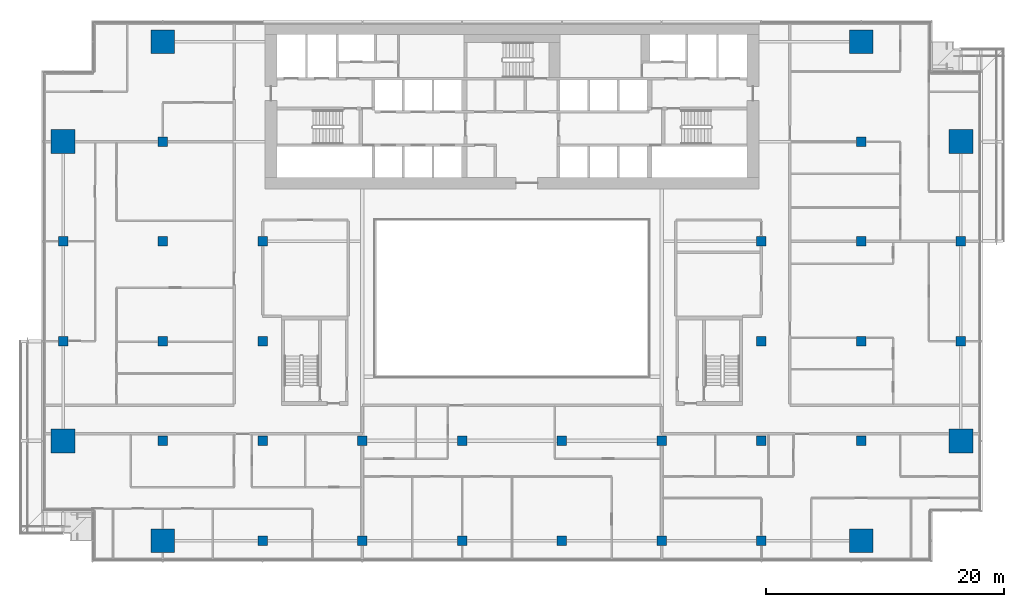
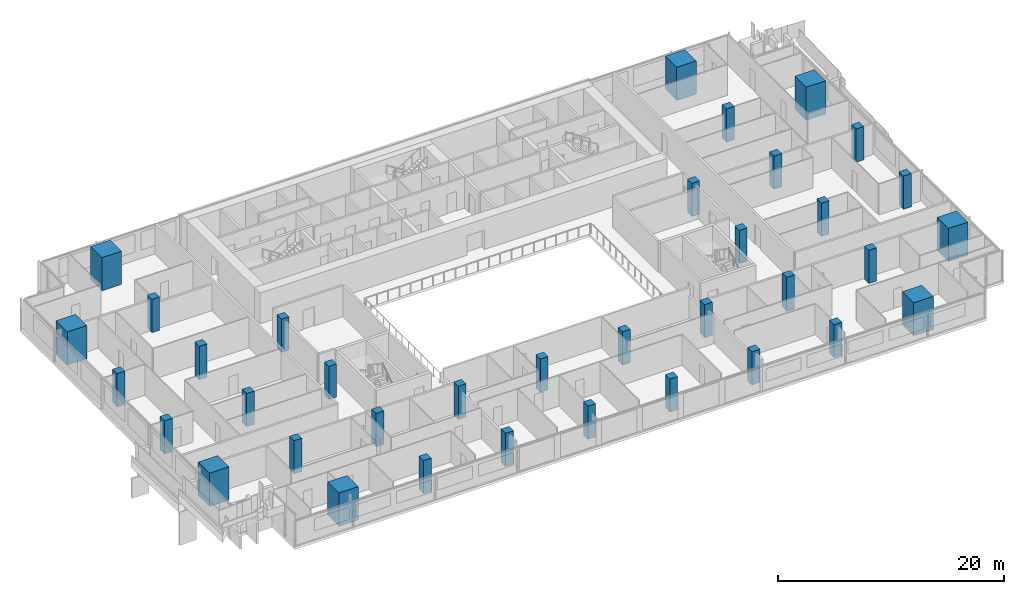
# One storey, part 1 of 27: 36 columns.
"""IFC4 building model written with IfcOpenShell, lengths in metres."""

import ifcopenshell
import ifcopenshell.guid

model = None  # the IFC model being written
_history = None  # IfcOwnerHistory: only IFC2X3 demands one
_inside = {}  # id of a spatial element -> (the spatial element, [elements in it])
_under = {}  # id of a project, library or spatial element -> (it, [spatial elements below it])
_declared = {}  # id of a project -> (the project, [libraries it declares])
_typed = {}  # id of a type object -> (the type object, [elements of that type])
_made_of = {}  # id of a material, layer set ... -> (it, [elements and type objects made of it])


def new_model(schema):
    """Start an empty IFC model of exactly this schema.

    Asked for "IFC4X3", IfcOpenShell would pick the latest addendum, in which some entities
    have other attributes; the version numbers below select the first issue.
    IFC2X3 requires an IfcOwnerHistory on every rooted entity: one is made here for all.
    """
    global model, _history
    if schema == "IFC4X3":
        model = ifcopenshell.file(schema_version=(4, 3, 0, 0))
    else:
        model = ifcopenshell.file(schema=schema)
    _inside.clear()
    _under.clear()
    _declared.clear()
    _typed.clear()
    _made_of.clear()
    _history = None
    if model.schema == "IFC2X3":
        org = make("IfcOrganization", Name="unknown")
        user = make(
            "IfcPersonAndOrganization",
            ThePerson=make("IfcPerson", FamilyName="unknown"),
            TheOrganization=org,
        )
        app = make(
            "IfcApplication",
            ApplicationDeveloper=org,
            Version="unknown",
            ApplicationFullName="unknown",
            ApplicationIdentifier="unknown",
        )
        _history = make(
            "IfcOwnerHistory",
            OwningUser=user,
            OwningApplication=app,
            ChangeAction="ADDED",
            CreationDate=0,
        )
    return model


def make(cls, **values):
    """One entity of the class cls with the attributes given. An attribute that is None is left unset."""
    return model.create_entity(
        cls, **{name: value for name, value in values.items() if value is not None}
    )


def rooted(cls, **values):
    """An entity with a GlobalId (a new one), such as an element, a storey or a relation."""
    return make(cls, GlobalId=ifcopenshell.guid.new(), OwnerHistory=_history, **values)


def si_unit(unit_type, name, prefix=None):
    """IfcSIUnit, for example si_unit("LENGTHUNIT", "METRE", prefix="MILLI")."""
    return make("IfcSIUnit", UnitType=unit_type, Prefix=prefix, Name=name)


def assignment(units):
    """IfcUnitAssignment: the units of a project."""
    return None if units is None else make("IfcUnitAssignment", Units=units)


def point(xyz):
    """IfcCartesianPoint."""
    return None if xyz is None else make("IfcCartesianPoint", Coordinates=xyz)


def direction(xyz):
    """IfcDirection."""
    return None if xyz is None else make("IfcDirection", DirectionRatios=xyz)


def frame(location, z_axis=None, x_axis=None):
    """IfcAxis2Placement3D, a coordinate frame: its origin and axes. An axis left out is left unset."""
    return make(
        "IfcAxis2Placement3D",
        Location=point(location),
        Axis=direction(z_axis),
        RefDirection=direction(x_axis),
    )


def frame_2d(location, x_axis=None):
    """IfcAxis2Placement2D, a coordinate frame in the plane: its origin and x axis."""
    return make(
        "IfcAxis2Placement2D", Location=point(location), RefDirection=direction(x_axis)
    )


def origin():
    """The frame at (0, 0, 0) with its axes left unset."""
    return frame((0.0, 0.0, 0.0))


def origin_2d():
    """The frame at (0, 0) in the plane with its x axis left unset."""
    return frame_2d((0.0, 0.0))


def place(relative_to, where):
    """IfcLocalPlacement: puts the frame where relative to a parent placement (None: the world)."""
    return make(
        "IfcLocalPlacement", PlacementRelTo=relative_to, RelativePlacement=where
    )


def context(
    kind, dimensions, precision=None, world=None, true_north=None, identifier=None
):
    """IfcGeometricRepresentationContext, for example the 3D "Model" context."""
    return make(
        "IfcGeometricRepresentationContext",
        ContextIdentifier=identifier,
        ContextType=kind,
        CoordinateSpaceDimension=dimensions,
        Precision=precision,
        WorldCoordinateSystem=world,
        TrueNorth=true_north,
    )


def subcontext(parent, identifier, kind, view, scale=None):
    """IfcGeometricRepresentationSubContext, for example "Body" below "Model"."""
    return make(
        "IfcGeometricRepresentationSubContext",
        ContextIdentifier=identifier,
        ContextType=kind,
        ParentContext=parent,
        TargetScale=scale,
        TargetView=view,
    )


def project(units=None, contexts=None):
    """IfcProject with its units and contexts."""
    return rooted(
        "IfcProject",
        Name="project",
        RepresentationContexts=contexts,
        UnitsInContext=assignment(units),
    )


def spatial(cls, under=None, at=None, **own):
    """A site, building, storey or space (cls), placed at a placement, below another one or the project."""
    s = rooted(cls, ObjectPlacement=at, **own)
    if under is not None:
        _under.setdefault(under.id(), (under, []))[1].append(s)
    return s


def profile(cls, at=None, kind="AREA", **sizes):
    """A parametric profile (cls). Its sizes go by their IFC names, for example OverallWidth=200.0."""
    return make(cls, ProfileType=kind, Position=at, **sizes)


def rectangle(**sizes):
    """IfcRectangleProfileDef."""
    return profile("IfcRectangleProfileDef", **sizes)


def extrude(swept, where, along, depth):
    """IfcExtrudedAreaSolid: the profile swept, set in the frame where, extruded along a direction by depth."""
    return make(
        "IfcExtrudedAreaSolid",
        SweptArea=swept,
        Position=where,
        ExtrudedDirection=direction(along),
        Depth=depth,
    )


def shape(context_of_items, identifier, shape_type, items):
    """IfcShapeRepresentation: the items that make up one representation, for example the "Body"."""
    return make(
        "IfcShapeRepresentation",
        ContextOfItems=context_of_items,
        RepresentationIdentifier=identifier,
        RepresentationType=shape_type,
        Items=items,
    )


def material(Name=None, Category=None):
    """IfcMaterial."""
    return make("IfcMaterial", Name=Name, Category=Category)


def material_profile(
    of_material, cross_section, Name=None, Category=None, Priority=None
):
    """IfcMaterialProfile: a cross section and its material."""
    return make(
        "IfcMaterialProfile",
        Name=Name,
        Material=of_material,
        Profile=cross_section,
        Priority=Priority,
        Category=Category,
    )


def profile_set(profiles, Name=None, composite=None):
    """IfcMaterialProfileSet."""
    return make(
        "IfcMaterialProfileSet",
        Name=Name,
        MaterialProfiles=profiles,
        CompositeProfile=composite,
    )


def made_of(thing, what):
    """Note that an element or type object is made of a material, layer set ...; save() writes the relation."""
    if what is not None:
        _made_of.setdefault(what.id(), (what, []))[1].append(thing)
    return thing


def type_object(cls, material=None, **own):
    """A type object (cls), such as IfcWallType, which elements share."""
    return made_of(rooted(cls, **own), material)


def element(
    cls,
    number,
    at=None,
    inside=None,
    cuts=None,
    type_object=None,
    material=None,
    context=None,
    identifier="Body",
    shape_type=None,
    held_by="IfcProductDefinitionShape",
    body=None,
    shapes=None,
    **own,
):
    """One element of the class cls, such as IfcWall. Its Tag is "e" and its number.

    at: its placement. inside: the storey or other place that contains it. cuts: it is an
    opening in that element (IfcRelVoidsElement). A single representation is given by context,
    identifier, shape_type and body (its items); several are given by shapes. held_by: the class
    of the entity that holds the representations. save() writes the other relations.
    """
    e = rooted(cls, Tag="e%d" % number, ObjectPlacement=at, **own)
    if body is not None:
        shapes = [shape(context, identifier, shape_type, body)]
    if shapes is not None:
        e.Representation = make(held_by, Representations=shapes)
    if inside is not None:
        _inside.setdefault(inside.id(), (inside, []))[1].append(e)
    if cuts is not None:
        rooted(
            "IfcRelVoidsElement", RelatingBuildingElement=cuts, RelatedOpeningElement=e
        )
    if type_object is not None:
        _typed.setdefault(type_object.id(), (type_object, []))[1].append(e)
    return made_of(e, material)


def aggregate(whole, parts):
    """IfcRelAggregates: a whole, such as a stair, and the parts it consists of."""
    return rooted("IfcRelAggregates", RelatingObject=whole, RelatedObjects=parts)


def save(model, path):
    """Write the relations noted so far, then the file.

    IfcRelAggregates (storeys below a building ...), IfcRelContainedInSpatialStructure (elements
    in a storey), IfcRelDefinesByType, IfcRelAssociatesMaterial and IfcRelDeclares: one each for
    every whole, place, type object, material and project.
    """
    for whole, parts in _under.values():
        aggregate(whole, parts)
    for where, things in _inside.values():
        rooted(
            "IfcRelContainedInSpatialStructure",
            RelatedElements=things,
            RelatingStructure=where,
        )
    for kind, things in _typed.values():
        rooted("IfcRelDefinesByType", RelatedObjects=things, RelatingType=kind)
    for what, things in _made_of.values():
        rooted("IfcRelAssociatesMaterial", RelatedObjects=things, RelatingMaterial=what)
    for by, libraries in _declared.values():
        rooted("IfcRelDeclares", RelatingContext=by, RelatedDefinitions=libraries)
    model.write(path)


model = new_model("IFC4")

# Units and contexts
model_context = context("Model", 3, precision=1e-05, world=origin(), true_north=direction((0.0, 1.0)))
body_context = subcontext(model_context, "Body", "Model", "MODEL_VIEW")
ifc_project = project(units=[si_unit("LENGTHUNIT", "METRE"), si_unit("AREAUNIT", "SQUARE_METRE"), si_unit("VOLUMEUNIT", "CUBIC_METRE"), si_unit("PLANEANGLEUNIT", "RADIAN"), si_unit("MASSUNIT", "GRAM", prefix="KILO")], contexts=[model_context])

# Site, building, storey
site_placement = place(None, origin())
site = spatial("IfcSite", under=ifc_project, at=site_placement, CompositionType="ELEMENT")
building_placement = place(site_placement, origin())
building = spatial("IfcBuilding", under=site, at=building_placement, Name="Saffron Gate Tower", CompositionType="ELEMENT")
storey_placement = place(building_placement, frame((0.0, 0.0, 134.85009765625)))
storey = spatial("IfcBuildingStorey", under=building, at=storey_placement, Name="L32", CompositionType="ELEMENT", Elevation=134.85009765625)

# Columns
ifc_material_1 = material(Name="Concrete C60", Category="concrete")
ifc_material_profile_1 = material_profile(ifc_material_1, rectangle(XDim=0.800048828125, YDim=0.800048828125, at=origin_2d()))
ifc_profile_set_1 = profile_set([ifc_material_profile_1], Name="Concrete C60")
column_type_1 = type_object("IfcColumnType", Name="C5 RC 800x800 CONCRETE C60", PredefinedType="COLUMN", material=ifc_profile_set_1)
for number, where, z_axis, x_axis, name in (
    (1, (49.800048828125, 48.60009765625, 0.0), (0.0, 0.0, 1.0), (1.0, 0.0, 0.0), "C5 COLUMN X1-C"),
    (2, (49.800048828125, 57.0, 0.0), (0.0, 0.0, 1.0), (1.0, 0.0, 0.0), "C5 COLUMN X1-D"),
    (3, (58.199951171875, 40.199951171875, 0.0), (0.0, 0.0, 1.0), (1.0, 0.0, 0.0), "C5 COLUMN X2-B"),
    (4, (58.199951171875, 48.60009765625, 0.0), (0.0, 0.0, 1.0), (1.0, 0.0, 0.0), "C5 COLUMN X2-C"),
    (5, (58.199951171875, 57.0, 0.0), (0.0, 0.0, 1.0), (1.0, 0.0, 0.0), "C5 COLUMN X2-D"),
    (6, (58.199951171875, 65.39990234375, 0.0), (0.0, 0.0, 1.0), (1.0, 0.0, 0.0), "C5 COLUMN X2-E"),
    (7, (66.60009765625, 31.800048828125, 0.0), (0.0, 0.0, 1.0), (1.0, 0.0, 0.0), "C5 COLUMN X3-A"),
    (8, (66.60009765625, 40.199951171875, 0.0), (0.0, 0.0, 1.0), (1.0, 0.0, 0.0), "C5 COLUMN X3-B"),
    (9, (66.60009765625, 48.60009765625, 0.0), (0.0, 0.0, 1.0), (1.0, 0.0, 0.0), "C5 COLUMN X3-C"),
    (10, (66.60009765625, 57.0, 0.0), (0.0, 0.0, 1.0), (1.0, 0.0, 0.0), "C5 COLUMN X3-D"),
    (11, (75.0, 31.800048828125, 0.0), (0.0, 0.0, 1.0), (1.0, 0.0, 0.0), "C5 COLUMN X4-A"),
    (12, (75.0, 40.199951171875, 0.0), (0.0, 0.0, 1.0), (1.0, 0.0, 0.0), "C5 COLUMN X4-B"),
    (13, (83.39990234375, 31.800048828125, 0.0), (0.0, 0.0, 1.0), (1.0, 0.0, 0.0), "C5 COLUMN X5-A"),
    (14, (83.39990234375, 40.199951171875, 0.0), (0.0, 0.0, 1.0), (1.0, 0.0, 0.0), "C5 COLUMN X5-B"),
    (15, (91.800048828125, 31.800048828125, 0.0), (0.0, 0.0, 1.0), (1.0, 0.0, 0.0), "C5 COLUMN X6-A"),
    (16, (91.800048828125, 40.199951171875, 0.0), (0.0, 0.0, 1.0), (1.0, 0.0, 0.0), "C5 COLUMN X6-B"),
    (17, (100.199951171875, 31.800048828125, 0.0), (0.0, 0.0, 1.0), (1.0, 0.0, 0.0), "C5 COLUMN X7-A"),
    (18, (100.199951171875, 40.199951171875, 0.0), (0.0, 0.0, 1.0), (1.0, 0.0, 0.0), "C5 COLUMN X7-B"),
    (19, (108.60009765625, 31.800048828125, 0.0), (0.0, 0.0, 1.0), (1.0, 0.0, 0.0), "C5 COLUMN X8-A"),
    (20, (108.60009765625, 40.199951171875, 0.0), (0.0, 0.0, 1.0), (1.0, 0.0, 0.0), "C5 COLUMN X8-B"),
    (21, (108.60009765625, 48.60009765625, 0.0), (0.0, 0.0, 1.0), (1.0, 0.0, 0.0), "C5 COLUMN X8-C"),
    (22, (108.60009765625, 57.0, 0.0), (0.0, 0.0, 1.0), (1.0, 0.0, 0.0), "C5 COLUMN X8-D"),
    (23, (117.0, 40.199951171875, 0.0), (0.0, 0.0, 1.0), (1.0, 0.0, 0.0), "C5 COLUMN X9-B"),
    (24, (117.0, 48.60009765625, 0.0), (0.0, 0.0, 1.0), (1.0, 0.0, 0.0), "C5 COLUMN X9-C"),
    (25, (117.0, 57.0, 0.0), (0.0, 0.0, 1.0), (1.0, 0.0, 0.0), "C5 COLUMN X9-D"),
    (26, (117.0, 65.39990234375, 0.0), (0.0, 0.0, 1.0), (1.0, 0.0, 0.0), "C5 COLUMN X9-E"),
    (27, (125.39990234375, 48.60009765625, 0.0), (0.0, 0.0, 1.0), (1.0, 0.0, 0.0), "C5 COLUMN X10-C"),
    (28, (125.39990234375, 57.0, 0.0), (0.0, 0.0, 1.0), (1.0, 0.0, 0.0), "C5 COLUMN X10-D"),
):
    element("IfcColumn", number, at=place(storey_placement, frame(where, z_axis=z_axis, x_axis=x_axis)), inside=storey, type_object=column_type_1, Name=name, PredefinedType="COLUMN", context=body_context, shape_type="SweptSolid", body=[
        extrude(rectangle(XDim=0.800048828125, YDim=0.800048828125, at=origin_2d()), origin(), (0.0, 0.0, 1.0), 3.599853515625),
    ])
ifc_material_2 = material(Name="Concrete C80", Category="concrete")
ifc_material_profile_2 = material_profile(ifc_material_2, rectangle(XDim=2.0, YDim=2.0, at=origin_2d()))
ifc_profile_set_2 = profile_set([ifc_material_profile_2], Name="Concrete C80")
column_type_2 = type_object("IfcColumnType", Name="MC3 RC 2000x2000 CONCRETE C80", PredefinedType="COLUMN", material=ifc_profile_set_2)
for number, where, z_axis, x_axis, name in (
    (29, (49.800048828125, 40.199951171875, 0.0), (0.0, 0.0, 1.0), (1.0, 0.0, 0.0), "MC3 MEGA COLUMN X1-B"),
    (30, (49.800048828125, 65.39990234375, 0.0), (0.0, 0.0, 1.0), (1.0, 0.0, 0.0), "MC3 MEGA COLUMN X1-E"),
    (31, (58.199951171875, 31.800048828125, 0.0), (0.0, 0.0, 1.0), (1.0, 0.0, 0.0), "MC3 MEGA COLUMN X2-A"),
    (32, (58.199951171875, 73.800048828125, 0.0), (0.0, 0.0, 1.0), (1.0, 0.0, 0.0), "MC3 MEGA COLUMN X2-F"),
    (33, (117.0, 31.800048828125, 0.0), (0.0, 0.0, 1.0), (1.0, 0.0, 0.0), "MC3 MEGA COLUMN X9-A"),
    (34, (117.0, 73.800048828125, 0.0), (0.0, 0.0, 1.0), (1.0, 0.0, 0.0), "MC3 MEGA COLUMN X9-F"),
    (35, (125.39990234375, 40.199951171875, 0.0), (0.0, 0.0, 1.0), (1.0, 0.0, 0.0), "MC3 MEGA COLUMN X10-B"),
    (36, (125.39990234375, 65.39990234375, 0.0), (0.0, 0.0, 1.0), (1.0, 0.0, 0.0), "MC3 MEGA COLUMN X10-E"),
):
    element("IfcColumn", number, at=place(storey_placement, frame(where, z_axis=z_axis, x_axis=x_axis)), inside=storey, type_object=column_type_2, Name=name, PredefinedType="COLUMN", context=body_context, shape_type="SweptSolid", body=[
        extrude(rectangle(XDim=2.0, YDim=2.0, at=origin_2d()), origin(), (0.0, 0.0, 1.0), 3.599853515625),
    ])

save(model, "model.ifc")
